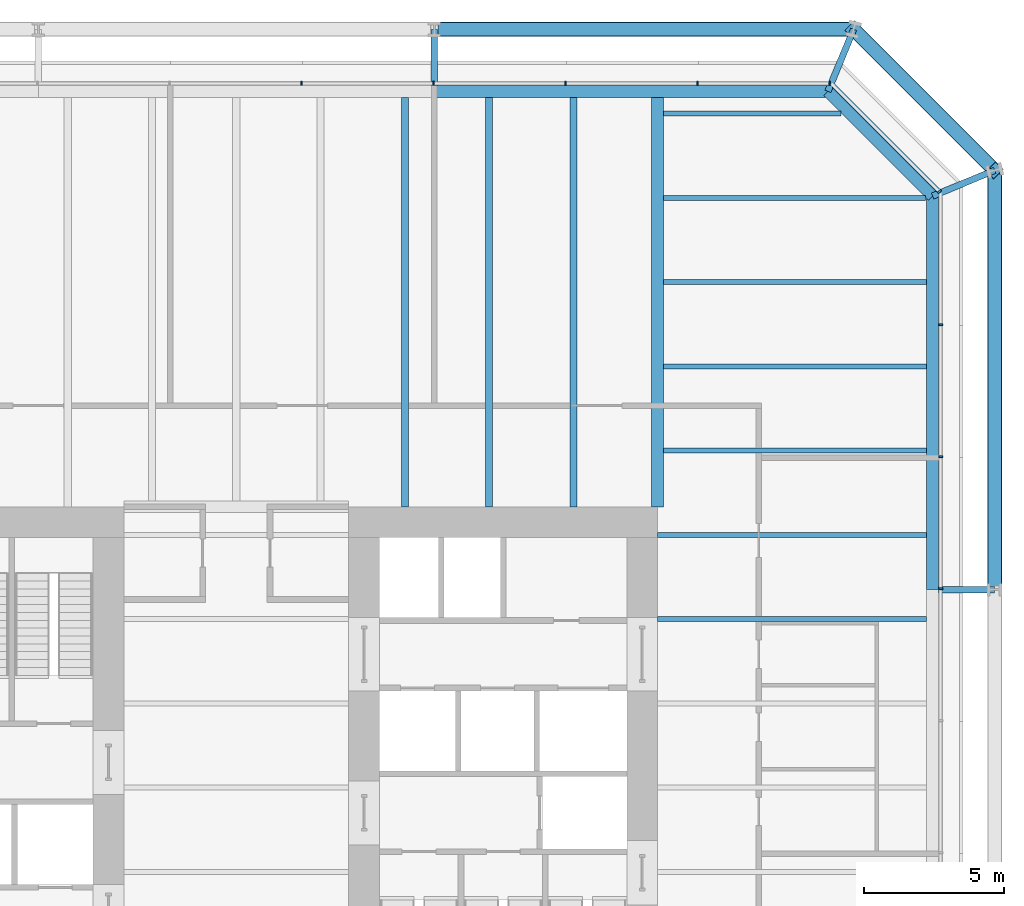
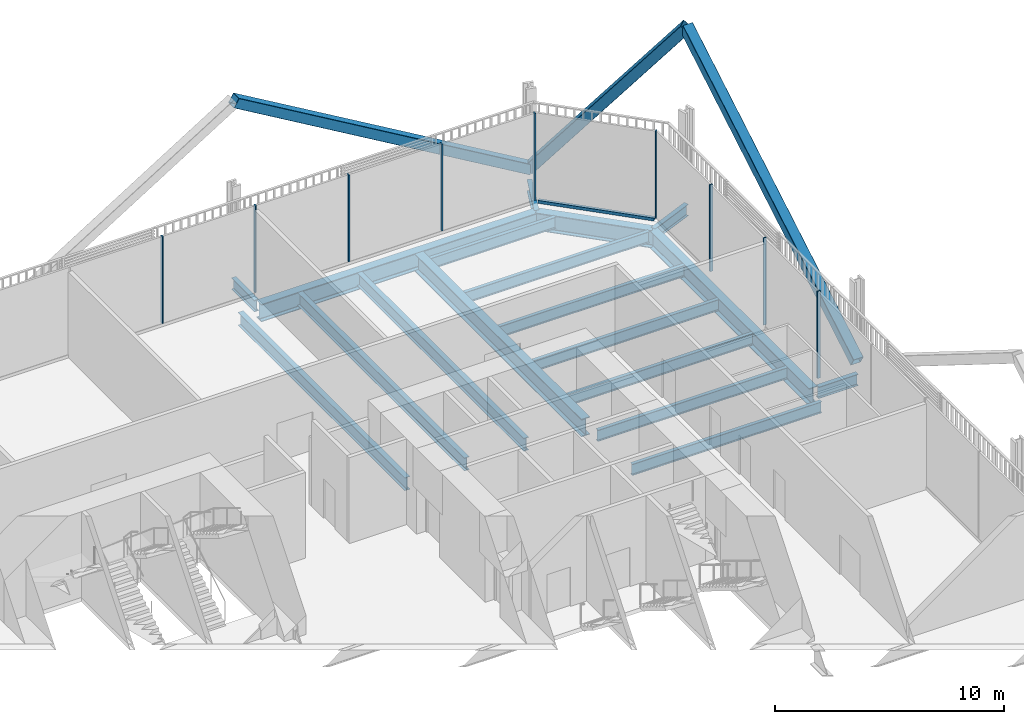
# One storey, part 16 of 22: 18 beams, 13 members, 3 elements without a shape of their own.
"""IFC4 building model written with IfcOpenShell, lengths in metres."""

from ifc_helpers import new_model, si_unit, direction, frame, origin, origin_2d, place, context, subcontext, project, spatial, rectangle, hollow_rectangle, i_section, extrude, material, layer, layer_set, material_profile, profile_set, type_object, element, aggregate, save


model = new_model("IFC4")

# Units and contexts
model_context = context("Model", 3, precision=1e-05, world=origin(), true_north=direction((0.0, 1.0)))
body_context = subcontext(model_context, "Body", "Model", "MODEL_VIEW")
ifc_project = project(units=[si_unit("LENGTHUNIT", "METRE"), si_unit("AREAUNIT", "SQUARE_METRE"), si_unit("VOLUMEUNIT", "CUBIC_METRE"), si_unit("PLANEANGLEUNIT", "RADIAN"), si_unit("MASSUNIT", "GRAM", prefix="KILO")], contexts=[model_context])

# Site, building, storey
site_placement = place(None, origin())
site = spatial("IfcSite", under=ifc_project, at=site_placement, CompositionType="ELEMENT")
building_placement = place(site_placement, origin())
building = spatial("IfcBuilding", under=site, at=building_placement, Name="Millrace Tower", CompositionType="ELEMENT")
storey_placement = place(building_placement, frame((0.0, 0.0, 44.89990234375)))
storey = spatial("IfcBuildingStorey", under=building, at=storey_placement, Name="L10", CompositionType="ELEMENT", Elevation=44.89990234375)

# Curtain wall, members
ifc_material_1 = material(Name="Aluminium and glass", Category="aluminium")
ifc_layer = layer(ifc_material_1, 0.14990234375)
ifc_layer_set = layer_set([ifc_layer], Name="Aluminium and glass")
curtain_wall_type = type_object("IfcCurtainWallType", Name="CW-2 data hall insulated curtain wall", PredefinedType="NOTDEFINED", material=ifc_layer_set)
placement = place(storey_placement, origin())
curtain_wall_1 = element("IfcCurtainWall", 1, at=placement, inside=storey, type_object=curtain_wall_type, Name="Curtain wall A-F04 L10", PredefinedType="NOTDEFINED")
ifc_material_2 = material(Name="Aluminium", Category="aluminium")
ifc_material_profile_1 = material_profile(ifc_material_2, rectangle(XDim=0.06494140625, YDim=0.14990234375, at=origin_2d()))
ifc_profile_set_1 = profile_set([ifc_material_profile_1], Name="Aluminium")
member_type_1 = type_object("IfcMemberType", Name="CW-2 data hall insulated curtain wall mullion", PredefinedType="MULLION", material=ifc_profile_set_1)
member_1_placement = place(storey_placement, frame((25.074951171875, 7.08251953125, 0.16015625), z_axis=(0.0, 0.0, 1.0), x_axis=(0.0, 1.0, 0.0)))
member_1 = element("IfcMember", 2, at=member_1_placement, type_object=member_type_1, Name="CW2 mullion A-F04.7", PredefinedType="MULLION", context=body_context, shape_type="SweptSolid", body=[
    extrude(rectangle(XDim=0.06494140625, YDim=0.14990234375, at=origin_2d()), origin(), (0.0, 0.0, 1.0), 4.639892578125),
])
member_2_placement = place(storey_placement, frame((25.074951171875, 11.782470703125, 0.16015625), z_axis=(0.0, 0.0, 1.0), x_axis=(0.0, 1.0, 0.0)))
member_2 = element("IfcMember", 3, at=member_2_placement, type_object=member_type_1, Name="CW2 mullion A-F04.8", PredefinedType="MULLION", context=body_context, shape_type="SweptSolid", body=[
    extrude(rectangle(XDim=0.06494140625, YDim=0.14990234375, at=origin_2d()), origin(), (0.0, 0.0, 1.0), 4.639892578125),
])
member_3_placement = place(storey_placement, frame((25.074951171875, 16.482421875, 0.16015625), z_axis=(0.0, 0.0, 1.0), x_axis=(0.0, 1.0, 0.0)))
member_3 = element("IfcMember", 4, at=member_3_placement, type_object=member_type_1, Name="CW2 mullion A-F04.9", PredefinedType="MULLION", context=body_context, shape_type="SweptSolid", body=[
    extrude(rectangle(XDim=0.06494140625, YDim=0.14990234375, at=origin_2d()), origin(), (0.0, 0.0, 1.0), 4.639892578125),
])
aggregate(curtain_wall_1, [member_1, member_2, member_3])

# Curtain wall, member
curtain_wall_2 = element("IfcCurtainWall", 5, at=placement, inside=storey, type_object=curtain_wall_type, Name="Curtain wall A-F05 L10", PredefinedType="NOTDEFINED")
member_4_placement = place(storey_placement, frame((25.030029296875, 21.22607421875, 0.16015625), z_axis=(0.0, 0.0, 1.0), x_axis=(-0.707106781187, 0.707106781187, 0.0)))
member_4 = element("IfcMember", 6, at=member_4_placement, type_object=member_type_1, Name="CW2 mullion A-F05.1", PredefinedType="MULLION", context=body_context, shape_type="SweptSolid", body=[
    extrude(rectangle(XDim=0.06494140625, YDim=0.14990234375, at=origin_2d()), origin(), (0.0, 0.0, 1.0), 4.639892578125),
])

# Curtain wall, members
curtain_wall_3 = element("IfcCurtainWall", 7, at=placement, inside=storey, type_object=curtain_wall_type, Name="Curtain wall A-F06 L10", PredefinedType="NOTDEFINED")
member_5_placement = place(storey_placement, frame((21.117431640625, 25.074951171875, 0.16015625), z_axis=(0.0, 0.0, 1.0), x_axis=(-1.0, 0.0, 0.0)))
member_5 = element("IfcMember", 8, at=member_5_placement, type_object=member_type_1, Name="CW2 mullion A-F06.1", PredefinedType="MULLION", context=body_context, shape_type="SweptSolid", body=[
    extrude(rectangle(XDim=0.06494140625, YDim=0.14990234375, at=origin_2d()), origin(), (0.0, 0.0, 1.0), 4.639892578125),
])
member_6_placement = place(storey_placement, frame((16.41748046875, 25.074951171875, 0.16015625), z_axis=(0.0, 0.0, 1.0), x_axis=(-1.0, 0.0, 0.0)))
member_6 = element("IfcMember", 9, at=member_6_placement, type_object=member_type_1, Name="CW2 mullion A-F06.2", PredefinedType="MULLION", context=body_context, shape_type="SweptSolid", body=[
    extrude(rectangle(XDim=0.06494140625, YDim=0.14990234375, at=origin_2d()), origin(), (0.0, 0.0, 1.0), 4.639892578125),
])
member_7_placement = place(storey_placement, frame((11.717529296875, 25.074951171875, 0.16015625), z_axis=(0.0, 0.0, 1.0), x_axis=(-1.0, 0.0, 0.0)))
member_7 = element("IfcMember", 10, at=member_7_placement, type_object=member_type_1, Name="CW2 mullion A-F06.3", PredefinedType="MULLION", context=body_context, shape_type="SweptSolid", body=[
    extrude(rectangle(XDim=0.06494140625, YDim=0.14990234375, at=origin_2d()), origin(), (0.0, 0.0, 1.0), 4.639892578125),
])
member_8_placement = place(storey_placement, frame((7.017578125, 25.074951171875, 0.16015625), z_axis=(0.0, 0.0, 1.0), x_axis=(-1.0, 0.0, 0.0)))
member_8 = element("IfcMember", 11, at=member_8_placement, type_object=member_type_1, Name="CW2 mullion A-F06.4", PredefinedType="MULLION", context=body_context, shape_type="SweptSolid", body=[
    extrude(rectangle(XDim=0.06494140625, YDim=0.14990234375, at=origin_2d()), origin(), (0.0, 0.0, 1.0), 4.639892578125),
])
member_9_placement = place(storey_placement, frame((2.3173828125, 25.074951171875, 0.16015625), z_axis=(0.0, 0.0, 1.0), x_axis=(-1.0, 0.0, 0.0)))
member_9 = element("IfcMember", 12, at=member_9_placement, type_object=member_type_1, Name="CW2 mullion A-F06.5", PredefinedType="MULLION", context=body_context, shape_type="SweptSolid", body=[
    extrude(rectangle(XDim=0.06494140625, YDim=0.14990234375, at=origin_2d()), origin(), (0.0, 0.0, 1.0), 4.639892578125),
])
aggregate(curtain_wall_3, [member_5, member_6, member_7, member_8, member_9])

# Member
ifc_material_3 = material(Name="Aluminium", Category="aluminium")
ifc_material_profile_2 = material_profile(ifc_material_3, rectangle(XDim=0.14990234375, YDim=0.159912109375, at=origin_2d()))
ifc_profile_set_2 = profile_set([ifc_material_profile_2], Name="Aluminium")
member_type_2 = type_object("IfcMemberType", Name="CW-2 data hall insulated curtain wall transom", PredefinedType="USERDEFINED", material=ifc_profile_set_2)
member_10_placement = place(storey_placement, frame((24.982421875, 21.273681640625, 0.080078125), z_axis=(-0.707106781187, 0.707106781187, 0.0), x_axis=(-0.707106781187, -0.707106781187, 0.0)))
member_10 = element("IfcMember", 13, at=member_10_placement, type_object=member_type_2, Name="CW2 transom A-F05.1", ObjectType="TRANSOM", PredefinedType="USERDEFINED", context=body_context, shape_type="SweptSolid", body=[
    extrude(rectangle(XDim=0.14990234375, YDim=0.159912109375, at=origin_2d()), origin(), (0.0, 0.0, 1.0), 5.244873046875),
])

aggregate(curtain_wall_2, [member_4, member_10])

# Members
ifc_material_4 = material(Name="Steel ASTM A500 Grade C", Category="steel")
ifc_material_profile_3 = material_profile(ifc_material_4, hollow_rectangle(XDim=0.508056640625, YDim=0.508056640625, WallThickness=0.01904296875, InnerFilletRadius=0.009521484375, OuterFilletRadius=0.028564453125, at=origin_2d()))
ifc_profile_set_3 = profile_set([ifc_material_profile_3], Name="Steel ASTM A500 Grade C")
member_type_3 = type_object("IfcMemberType", Name="Exoskeleton brace HSS20x20x3/4", PredefinedType="BRACE", material=ifc_profile_set_3)
member_11_placement = place(storey_placement, frame((27.0, 7.050048828125, 0.400146484375), z_axis=(0.0, 0.861464835883, 0.507817227491), x_axis=(-1.0, 0.0, 0.0)))
element("IfcMember", 14, at=member_11_placement, inside=storey, type_object=member_type_3, Name="BRC-A-L10-08", PredefinedType="BRACE", context=body_context, shape_type="SweptSolid", body=[
    extrude(hollow_rectangle(XDim=0.508056640625, YDim=0.508056640625, WallThickness=0.01904296875, InnerFilletRadius=0.009521484375, OuterFilletRadius=0.028564453125, at=origin_2d()), origin(), (0.0, 0.0, 1.0), 17.3291015625),
])
member_12_placement = place(storey_placement, frame((21.978515625, 27.0, 0.400146484375), z_axis=(0.444063713793, -0.444063713793, 0.77821259061), x_axis=(0.707106781187, 0.707106781187, 0.0)))
element("IfcMember", 15, at=member_12_placement, inside=storey, type_object=member_type_3, Name="BRC-A-L10-09", PredefinedType="BRACE", context=body_context, shape_type="SweptSolid", body=[
    extrude(hollow_rectangle(XDim=0.508056640625, YDim=0.508056640625, WallThickness=0.01904296875, InnerFilletRadius=0.009521484375, OuterFilletRadius=0.028564453125, at=origin_2d()), origin(), (0.0, 0.0, 1.0), 11.30810546875),
])
member_13_placement = place(storey_placement, frame((21.978515625, 27.0, 0.400146484375), z_axis=(-0.861464835883, 0.0, 0.507817227491), x_axis=(0.0, -1.0, 0.0)))
element("IfcMember", 16, at=member_13_placement, inside=storey, type_object=member_type_3, Name="BRC-A-L10-10", PredefinedType="BRACE", context=body_context, shape_type="SweptSolid", body=[
    extrude(hollow_rectangle(XDim=0.508056640625, YDim=0.508056640625, WallThickness=0.01904296875, InnerFilletRadius=0.009521484375, OuterFilletRadius=0.028564453125, at=origin_2d()), origin(), (0.0, 0.0, 1.0), 17.3291015625),
])

# Beams
ifc_material_5 = material(Name="Steel ASTM A992 Grade 50", Category="steel")
ifc_material_profile_4 = material_profile(ifc_material_5, i_section(OverallWidth=0.177978515625, OverallDepth=0.599365234375, WebThickness=0.010009765625, FlangeThickness=0.012939453125, FilletRadius=0.012939453125, at=origin_2d()))
ifc_profile_set_4 = profile_set([ifc_material_profile_4], Name="Steel ASTM A992 Grade 50")
beam_type_1 = type_object("IfcBeamType", Name="Floor beam W24x55", PredefinedType="JOIST", material=ifc_profile_set_4)
beam_1_placement = place(storey_placement, frame((15.212158203125, 24.0, -0.524658203125), z_axis=(1.0, 0.0, 0.0), x_axis=(0.0, 1.0, 0.0)))
element("IfcBeam", 17, at=beam_1_placement, inside=storey, type_object=beam_type_1, Name="BM-A-L10-S1-S041", PredefinedType="JOIST", context=body_context, shape_type="SweptSolid", body=[
    extrude(i_section(OverallWidth=0.177978515625, OverallDepth=0.599365234375, WebThickness=0.010009765625, FlangeThickness=0.012939453125, FilletRadius=0.012939453125, at=origin_2d()), origin(), (0.0, 0.0, 1.0), 6.317626953125),
])
ifc_material_6 = material(Name="Steel ASTM A992 Grade 50", Category="steel")
ifc_material_profile_5 = material_profile(ifc_material_6, i_section(OverallWidth=0.1787109375, OverallDepth=0.60205078125, WebThickness=0.010986328125, FlangeThickness=0.014892578125, FilletRadius=0.0126953125, at=origin_2d()))
ifc_profile_set_5 = profile_set([ifc_material_profile_5], Name="Steel ASTM A992 Grade 50")
beam_type_2 = type_object("IfcBeamType", Name="Floor beam W24x62", PredefinedType="JOIST", material=ifc_profile_set_5)
for number, where, z_axis, x_axis, name in (
    (18, (15.0, 6.0, -0.52587890625), (1.0, 0.0, 0.0), (0.0, 1.0, 0.0), "BM-A-L10-S1-S028"),
    (19, (15.0, 9.0, -0.52587890625), (1.0, 0.0, 0.0), (0.0, 1.0, 0.0), "BM-A-L10-S1-S031"),
):
    element("IfcBeam", number, at=place(storey_placement, frame(where, z_axis=z_axis, x_axis=x_axis)), inside=storey, type_object=beam_type_2, Name=name, PredefinedType="JOIST", context=body_context, shape_type="SweptSolid", body=[
        extrude(i_section(OverallWidth=0.1787109375, OverallDepth=0.60205078125, WebThickness=0.010986328125, FlangeThickness=0.014892578125, FilletRadius=0.0126953125, at=origin_2d()), origin(), (0.0, 0.0, 1.0), 9.578369140625),
    ])
for number, where, z_axis, x_axis, name in (
    (20, (15.212158203125, 12.0, -0.52587890625), (1.0, 0.0, 0.0), (0.0, 1.0, 0.0), "BM-A-L10-S1-S033"),
    (21, (15.212158203125, 15.0, -0.52587890625), (1.0, 0.0, 0.0), (0.0, 1.0, 0.0), "BM-A-L10-S1-S035"),
    (22, (15.212158203125, 18.0, -0.52587890625), (1.0, 0.0, 0.0), (0.0, 1.0, 0.0), "BM-A-L10-S1-S037"),
):
    element("IfcBeam", number, at=place(storey_placement, frame(where, z_axis=z_axis, x_axis=x_axis)), inside=storey, type_object=beam_type_2, Name=name, PredefinedType="JOIST", context=body_context, shape_type="SweptSolid", body=[
        extrude(i_section(OverallWidth=0.1787109375, OverallDepth=0.60205078125, WebThickness=0.010986328125, FlangeThickness=0.014892578125, FilletRadius=0.0126953125, at=origin_2d()), origin(), (0.0, 0.0, 1.0), 9.3662109375),
    ])
beam_2_placement = place(storey_placement, frame((15.212158203125, 21.0, -0.52587890625), z_axis=(1.0, 0.0, 0.0), x_axis=(0.0, 1.0, 0.0)))
element("IfcBeam", 23, at=beam_2_placement, inside=storey, type_object=beam_type_2, Name="BM-A-L10-S1-S039", PredefinedType="JOIST", context=body_context, shape_type="SweptSolid", body=[
    extrude(i_section(OverallWidth=0.1787109375, OverallDepth=0.60205078125, WebThickness=0.010986328125, FlangeThickness=0.014892578125, FilletRadius=0.0126953125, at=origin_2d()), origin(), (0.0, 0.0, 1.0), 9.317626953125),
])
ifc_material_7 = material(Name="Steel ASTM A992 Grade 50", Category="steel")
ifc_material_profile_6 = material_profile(ifc_material_7, i_section(OverallWidth=0.256591796875, OverallDepth=0.693359375, WebThickness=0.014404296875, FlangeThickness=0.023681640625, FilletRadius=0.01513671875, at=origin_2d()))
ifc_profile_set_6 = profile_set([ifc_material_profile_6], Name="Steel ASTM A992 Grade 50")
beam_type_3 = type_object("IfcBeamType", Name="Floor beam W27x114", PredefinedType="JOIST", material=ifc_profile_set_6)
for number, where, z_axis, x_axis, name in (
    (24, (6.0, 10.0, -0.571533203125), (0.0, 1.0, 0.0), (-1.0, 0.0, 0.0), "BM-A-L10-S1-S054"),
    (25, (9.0, 10.0, -0.571533203125), (0.0, 1.0, 0.0), (-1.0, 0.0, 0.0), "BM-A-L10-S1-S056"),
    (26, (12.0, 10.0, -0.571533203125), (0.0, 1.0, 0.0), (-1.0, 0.0, 0.0), "BM-A-L10-S1-S058"),
):
    element("IfcBeam", number, at=place(storey_placement, frame(where, z_axis=z_axis, x_axis=x_axis)), inside=storey, type_object=beam_type_3, Name=name, PredefinedType="JOIST", context=body_context, shape_type="SweptSolid", body=[
        extrude(i_section(OverallWidth=0.256591796875, OverallDepth=0.693359375, WebThickness=0.014404296875, FlangeThickness=0.023681640625, FilletRadius=0.01513671875, at=origin_2d()), origin(), (0.0, 0.0, 1.0), 14.578369140625),
    ])
ifc_material_8 = material(Name="Steel ASTM A992 Grade 50", Category="steel")
ifc_material_profile_7 = material_profile(ifc_material_8, i_section(OverallWidth=0.424072265625, OverallDepth=0.947509765625, WebThickness=0.02392578125, FlangeThickness=0.042724609375, FilletRadius=0.024169921875, at=origin_2d()))
ifc_profile_set_7 = profile_set([ifc_material_profile_7], Name="Steel ASTM A992 Grade 50")
beam_type_4 = type_object("IfcBeamType", Name="Girder medium span W36x302", PredefinedType="BEAM", material=ifc_profile_set_7)
beam_3_placement = place(storey_placement, frame((15.0, 10.0, -0.69873046875), z_axis=(0.0, 1.0, 0.0), x_axis=(-1.0, 0.0, 0.0)))
element("IfcBeam", 27, at=beam_3_placement, inside=storey, type_object=beam_type_4, Name="BM-A-L10-S1-G062", PredefinedType="BEAM", context=body_context, shape_type="SweptSolid", body=[
    extrude(i_section(OverallWidth=0.424072265625, OverallDepth=0.947509765625, WebThickness=0.02392578125, FlangeThickness=0.042724609375, FilletRadius=0.024169921875, at=origin_2d()), origin(), (0.0, 0.0, 1.0), 14.578369140625),
])
ifc_material_9 = material(Name="Steel ASTM A992 Grade 50", Category="steel")
ifc_material_profile_8 = material_profile(ifc_material_9, i_section(OverallWidth=0.23046875, OverallDepth=0.6171875, WebThickness=0.01318359375, FlangeThickness=0.022216796875, FilletRadius=0.012939453125, at=origin_2d()))
ifc_profile_set_8 = profile_set([ifc_material_profile_8], Name="Steel ASTM A992 Grade 50")
beam_type_5 = type_object("IfcBeamType", Name="Link beam W24x94", PredefinedType="BEAM", material=ifc_profile_set_8)
beam_4_placement = place(storey_placement, frame((7.050048828125, 25.0, -0.533447265625), z_axis=(0.0, 1.0, 0.0), x_axis=(-1.0, 0.0, 0.0)))
element("IfcBeam", 28, at=beam_4_placement, inside=storey, type_object=beam_type_5, Name="LNK-A-L10-S1-07", PredefinedType="BEAM", context=body_context, shape_type="SweptSolid", body=[
    extrude(i_section(OverallWidth=0.23046875, OverallDepth=0.6171875, WebThickness=0.01318359375, FlangeThickness=0.022216796875, FilletRadius=0.012939453125, at=origin_2d()), origin(), (0.0, 0.0, 1.0), 2.0),
])
for number, where, z_axis, x_axis, name in (
    (29, (21.062744140625, 24.7890625, -0.533447265625), (0.382673155247, 0.923883789366, 0.0), (-0.923883789366, 0.382673155247, 0.0), "LNK-A-L10-S1-08"),
    (30, (24.7890625, 21.062744140625, -0.533447265625), (0.923883789366, 0.382673155247, 0.0), (-0.382673155247, 0.923883789366, 0.0), "LNK-A-L10-S1-09"),
):
    element("IfcBeam", number, at=place(storey_placement, frame(where, z_axis=z_axis, x_axis=x_axis)), inside=storey, type_object=beam_type_5, Name=name, PredefinedType="BEAM", context=body_context, shape_type="SweptSolid", body=[
        extrude(i_section(OverallWidth=0.23046875, OverallDepth=0.6171875, WebThickness=0.01318359375, FlangeThickness=0.022216796875, FilletRadius=0.012939453125, at=origin_2d()), origin(), (0.0, 0.0, 1.0), 2.39306640625),
    ])
beam_5_placement = place(storey_placement, frame((25.0, 7.050048828125, -0.533447265625), z_axis=(1.0, 0.0, 0.0), x_axis=(0.0, 1.0, 0.0)))
element("IfcBeam", 31, at=beam_5_placement, inside=storey, type_object=beam_type_5, Name="LNK-A-L10-S1-10", PredefinedType="BEAM", context=body_context, shape_type="SweptSolid", body=[
    extrude(i_section(OverallWidth=0.23046875, OverallDepth=0.6171875, WebThickness=0.01318359375, FlangeThickness=0.022216796875, FilletRadius=0.012939453125, at=origin_2d()), origin(), (0.0, 0.0, 1.0), 2.0),
])
ifc_material_10 = material(Name="Steel ASTM A992 Grade 50", Category="steel")
ifc_material_profile_9 = material_profile(ifc_material_10, i_section(OverallWidth=0.421630859375, OverallDepth=0.937255859375, WebThickness=0.021240234375, FlangeThickness=0.03662109375, FilletRadius=0.024169921875, at=origin_2d()))
ifc_profile_set_9 = profile_set([ifc_material_profile_9], Name="Steel ASTM A992 Grade 50")
beam_type_6 = type_object("IfcBeamType", Name="Ring beam medium span W36x262", PredefinedType="SPANDREL", material=ifc_profile_set_9)
for number, where, z_axis, x_axis, name in (
    (32, (7.050048828125, 24.7890625, -0.693603515625), (1.0, 0.0, 0.0), (0.0, 1.0, 0.0), "RNG-A-L10-S1-07"),
    (33, (24.7890625, 21.062744140625, -0.693603515625), (0.0, -1.0, 0.0), (1.0, 0.0, 0.0), "RNG-A-L10-S1-09"),
):
    element("IfcBeam", number, at=place(storey_placement, frame(where, z_axis=z_axis, x_axis=x_axis)), inside=storey, type_object=beam_type_6, Name=name, PredefinedType="SPANDREL", context=body_context, shape_type="SweptSolid", body=[
        extrude(i_section(OverallWidth=0.421630859375, OverallDepth=0.937255859375, WebThickness=0.021240234375, FlangeThickness=0.03662109375, FilletRadius=0.024169921875, at=origin_2d()), origin(), (0.0, 0.0, 1.0), 14.0126953125),
    ])
ifc_material_11 = material(Name="Steel ASTM A992 Grade 50", Category="steel")
ifc_material_profile_10 = material_profile(ifc_material_11, i_section(OverallWidth=0.421630859375, OverallDepth=0.937255859375, WebThickness=0.021240234375, FlangeThickness=0.03662109375, FilletRadius=0.024169921875, at=origin_2d()))
ifc_profile_set_10 = profile_set([ifc_material_profile_10], Name="Steel ASTM A992 Grade 50")
beam_type_7 = type_object("IfcBeamType", Name="Ring beam short span W36x262", PredefinedType="SPANDREL", material=ifc_profile_set_10)
beam_6_placement = place(storey_placement, frame((21.062744140625, 24.7890625, -0.693603515625), z_axis=(0.707106781187, -0.707106781187, 0.0), x_axis=(0.707106781187, 0.707106781187, 0.0)))
element("IfcBeam", 34, at=beam_6_placement, inside=storey, type_object=beam_type_7, Name="RNG-A-L10-S1-08", PredefinedType="SPANDREL", context=body_context, shape_type="SweptSolid", body=[
    extrude(i_section(OverallWidth=0.421630859375, OverallDepth=0.937255859375, WebThickness=0.021240234375, FlangeThickness=0.03662109375, FilletRadius=0.024169921875, at=origin_2d()), origin(), (0.0, 0.0, 1.0), 5.269775390625),
])

save(model, "model.ifc")
